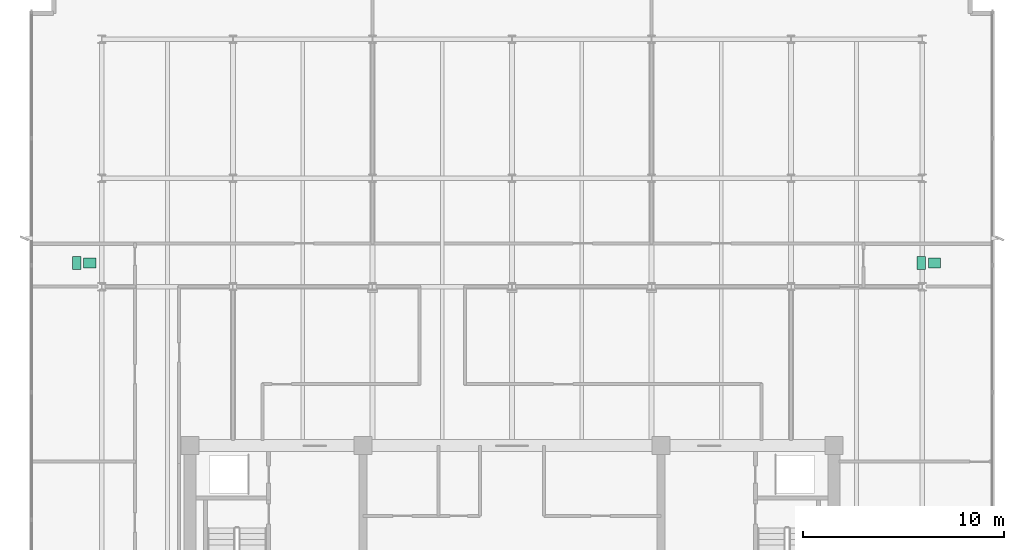
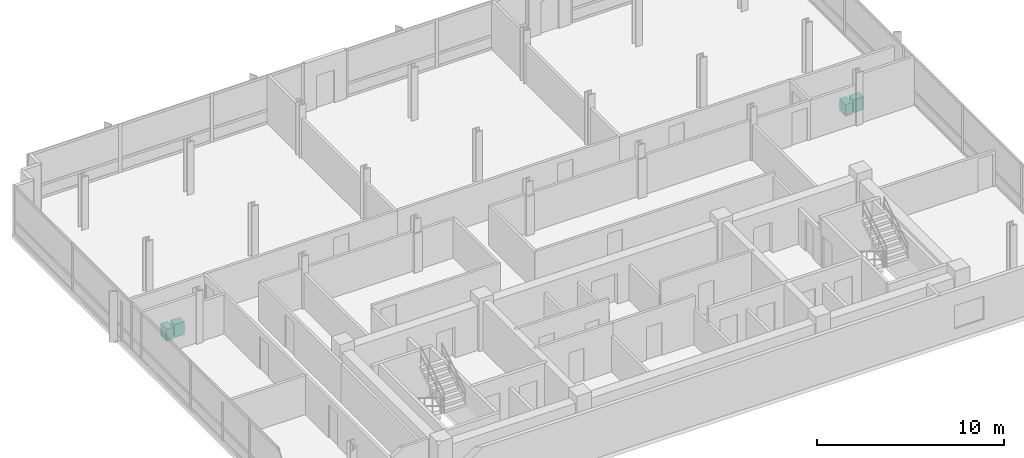
# One storey, part 13 of 13: 4 sanitary terminals.
"""IFC4 building model written with IfcOpenShell, lengths in metres."""

from ifc_helpers import new_model, si_unit, direction, frame, origin, origin_2d, place, context, subcontext, project, spatial, rectangle, extrude, material, type_object, element, save


model = new_model("IFC4")

# Units and contexts
model_context = context("Model", 3, precision=1e-05, world=origin(), true_north=direction((0.0, 1.0)))
body_context = subcontext(model_context, "Body", "Model", "MODEL_VIEW")
ifc_project = project(units=[si_unit("LENGTHUNIT", "METRE"), si_unit("AREAUNIT", "SQUARE_METRE"), si_unit("VOLUMEUNIT", "CUBIC_METRE"), si_unit("PLANEANGLEUNIT", "RADIAN"), si_unit("MASSUNIT", "GRAM", prefix="KILO")], contexts=[model_context])

# Site, building, storey
site_placement = place(None, origin())
site = spatial("IfcSite", under=ifc_project, at=site_placement, CompositionType="ELEMENT")
building_placement = place(site_placement, origin())
building = spatial("IfcBuilding", under=site, at=building_placement, Name="Solmavex Isthmus Hotel", CompositionType="ELEMENT")
storey_placement = place(building_placement, frame((0.0, 0.0, 276.449951171875)))
storey = spatial("IfcBuildingStorey", under=building, at=storey_placement, Name="L75", CompositionType="ELEMENT", Elevation=276.449951171875)

# Sanitary terminals
ifc_material = material(Name="Vitreous china ceramic", Category="ceramic")
sanitary_terminal_type_1 = type_object("IfcSanitaryTerminalType", Name="SAN-BASIN", PredefinedType="WASHHANDBASIN", material=ifc_material)
for number, where, z_axis, x_axis, name in (
    (1, (-20.9951171875, 6.577392578125, 0.0), (0.0, 0.0, 1.0), (1.0, 0.0, 0.0), "Vanity Washbasin L75-379"),
    (2, (20.99609375, 6.577392578125, 0.0), (0.0, 0.0, 1.0), (1.0, 0.0, 0.0), "Vanity Washbasin L75-380"),
):
    element("IfcSanitaryTerminal", number, at=place(storey_placement, frame(where, z_axis=z_axis, x_axis=x_axis)), inside=storey, type_object=sanitary_terminal_type_1, Name=name, PredefinedType="WASHHANDBASIN", context=body_context, shape_type="SweptSolid", body=[
        extrude(rectangle(XDim=0.60009765625, YDim=0.47998046875, at=origin_2d()), origin(), (0.0, 0.0, 1.0), 0.85009765625),
    ])
sanitary_terminal_type_2 = type_object("IfcSanitaryTerminalType", Name="SAN-WC-SUITE", PredefinedType="TOILETPAN", material=ifc_material)
for number, where, z_axis, x_axis, name in (
    (3, (-21.635009765625, 6.577392578125, 0.0), (0.0, 0.0, 1.0), (1.0, 0.0, 0.0), "Water Closet L75-379"),
    (4, (20.35595703125, 6.577392578125, 0.0), (0.0, 0.0, 1.0), (1.0, 0.0, 0.0), "Water Closet L75-380"),
):
    element("IfcSanitaryTerminal", number, at=place(storey_placement, frame(where, z_axis=z_axis, x_axis=x_axis)), inside=storey, type_object=sanitary_terminal_type_2, Name=name, PredefinedType="TOILETPAN", context=body_context, shape_type="SweptSolid", body=[
        extrude(rectangle(XDim=0.419921875, YDim=0.64990234375, at=origin_2d()), origin(), (0.0, 0.0, 1.0), 0.780029296875),
    ])

save(model, "model.ifc")
